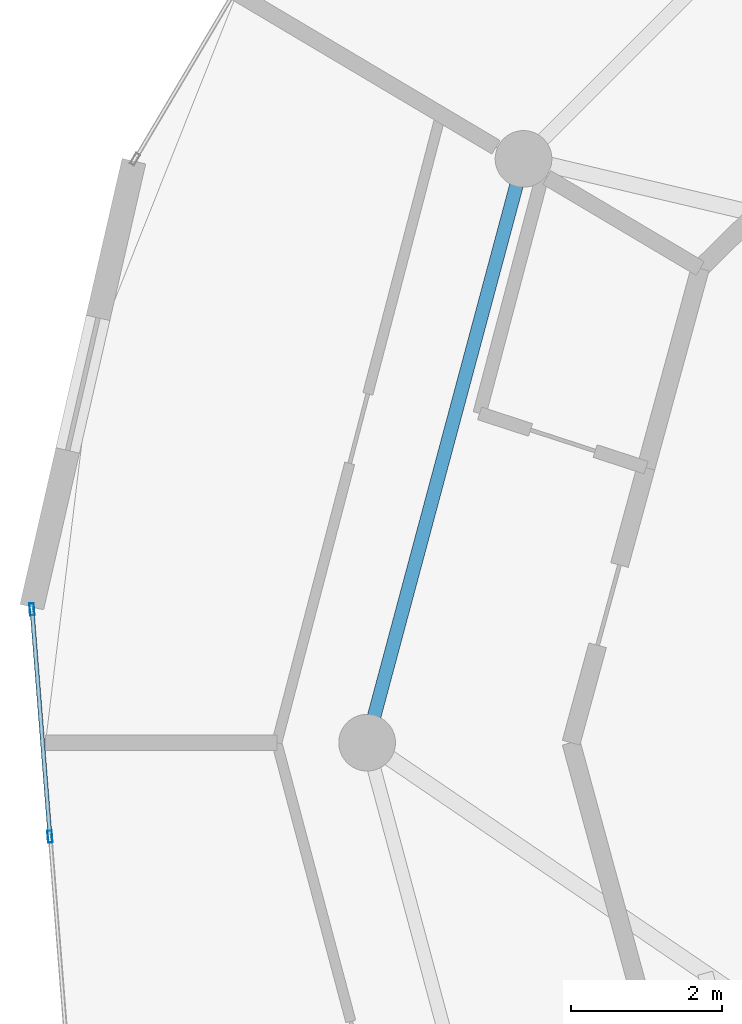
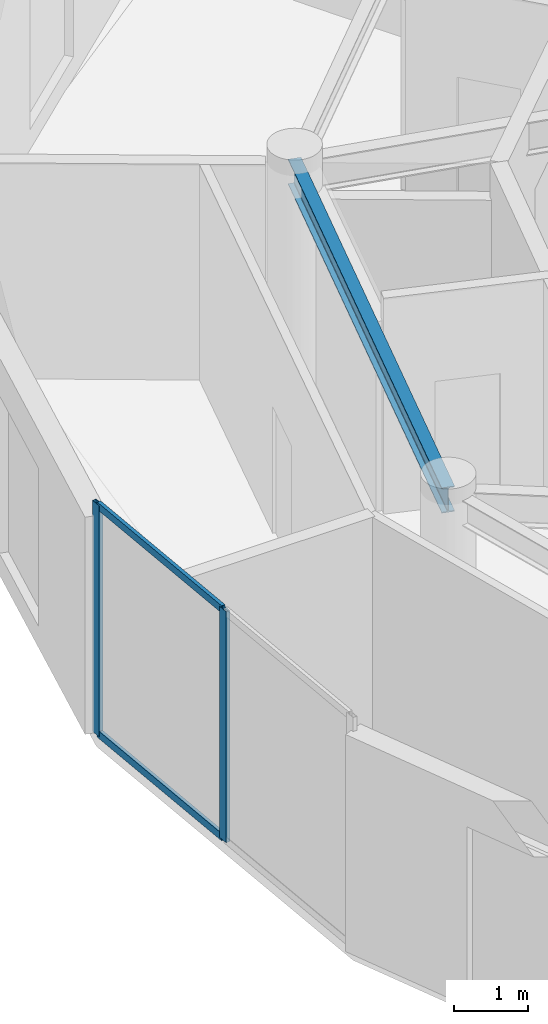
# One storey, part 8 of 22: 4 members, 1 beam, 1 element without a shape of its own.
"""IFC4 building model written with IfcOpenShell, lengths in metres."""

from ifc_helpers import new_model, si_unit, direction, frame, origin, origin_2d, place, context, subcontext, project, spatial, hollow_rectangle, i_section, extrude, source, transform, mapped, material, layer, layer_set, material_profile, profile_set, type_object, element, aggregate, save


model = new_model("IFC4")

# Units and contexts
model_context = context("Model", 3, precision=1e-05, world=origin(), true_north=direction((0.0, 1.0)))
body_context = subcontext(model_context, "Body", "Model", "MODEL_VIEW")
ifc_project = project(units=[si_unit("LENGTHUNIT", "METRE"), si_unit("AREAUNIT", "SQUARE_METRE"), si_unit("VOLUMEUNIT", "CUBIC_METRE"), si_unit("PLANEANGLEUNIT", "RADIAN"), si_unit("MASSUNIT", "GRAM", prefix="KILO")], contexts=[model_context])

# Site, building, storey
site_placement = place(None, origin())
site = spatial("IfcSite", under=ifc_project, at=site_placement, CompositionType="ELEMENT")
building_placement = place(site_placement, origin())
building = spatial("IfcBuilding", under=site, at=building_placement, Name="Solvirekh Grand Hotel", CompositionType="ELEMENT")
storey_placement = place(building_placement, frame((0.0, 0.0, 239.199951171875)))
storey = spatial("IfcBuildingStorey", under=building, at=storey_placement, Name="L62", CompositionType="ELEMENT", Elevation=239.199951171875)

# Beam
ifc_material_1 = material(Name="Steel S355", Category="steel")
ifc_material_profile_1 = material_profile(ifc_material_1, i_section(OverallWidth=0.180908203125, OverallDepth=0.4169921875, WebThickness=0.010009765625, FlangeThickness=0.01611328125, FilletRadius=0.011962890625, at=origin_2d()), Name="W410X85")
ifc_profile_set_1 = profile_set([ifc_material_profile_1], Name="Steel S355")
beam_type = type_object("IfcBeamType", Name="Spandrel_Ring_W410", PredefinedType="SPANDREL", material=ifc_profile_set_1)
beam_placement = place(storey_placement, frame((-13.3798828125, 7.72509765625, 3.362060546875), z_axis=(-0.258834757072, -0.965921616143, 0.0), x_axis=(0.965921616143, -0.258834757072, 0.0)))
element("IfcBeam", 1, at=beam_placement, inside=storey, type_object=beam_type, Name="L62 perimeter spandrel beam 6", PredefinedType="SPANDREL", context=body_context, shape_type="SweptSolid", body=[
    extrude(i_section(OverallWidth=0.180908203125, OverallDepth=0.4169921875, WebThickness=0.010009765625, FlangeThickness=0.01611328125, FilletRadius=0.011962890625, at=origin_2d()), origin(), (0.0, 0.0, 1.0), 7.99755859375),
])

# Curtain wall, members
ifc_material_2 = material(Name="Anodized Bronze Aluminium 6063-T6", Category="aluminium")
ifc_layer = layer(ifc_material_2, 0.159912109375)
ifc_layer_set = layer_set([ifc_layer], Name="Anodized Bronze Aluminium 6063-T6")
curtain_wall_type = type_object("IfcCurtainWallType", Name="CW_Sys4_HighZoneFlushBronzeCW", PredefinedType="NOTDEFINED", material=ifc_layer_set)
curtain_wall_placement = place(storey_placement, origin())
curtain_wall = element("IfcCurtainWall", 2, at=curtain_wall_placement, inside=storey, type_object=curtain_wall_type, Name="L62 unitised bronze-glass curtain wall CW-L62-C15", PredefinedType="NOTDEFINED")
ifc_material_profile_2 = material_profile(ifc_material_2, hollow_rectangle(XDim=0.06005859375, YDim=0.159912109375, WallThickness=0.0048828125, at=origin_2d()), Name="ALU RHS 160X60X5")
ifc_profile_set_2 = profile_set([ifc_material_profile_2], Name="Anodized Bronze Aluminium 6063-T6")
member_type_1 = type_object("IfcMemberType", Name="CWMullion_Sys4", PredefinedType="MULLION", material=ifc_profile_set_2)
shared_shape_1 = source(origin(), body_context, "Body", "SweptSolid", [
    extrude(hollow_rectangle(XDim=0.06005859375, YDim=0.159912109375, WallThickness=0.0048828125, at=origin_2d()), origin(), (0.0, 0.0, 1.0), 3.800048828125),
])
member_1_placement = place(storey_placement, frame((-19.884521484375, 1.76513671875, 0.0), z_axis=(0.0, 0.0, 1.0), x_axis=(0.996869293159, 0.079067138283, 0.0)))
member_1 = element("IfcMember", 3, at=member_1_placement, type_object=member_type_1, Name="U04 mullion 1", PredefinedType="MULLION", context=body_context, shape_type="MappedRepresentation", body=[
    mapped(shared_shape_1, transform((0.0, 0.0, 0.0), x_axis=(1.0, 0.0, 0.0), y_axis=(0.0, 1.0, 0.0), z_axis=(0.0, 0.0, 1.0), scale=1.0)),
])
member_2_placement = place(storey_placement, frame((-19.64599609375, -1.243408203125, 0.0), z_axis=(0.0, 0.0, 1.0), x_axis=(0.996869293159, 0.079067138283, 0.0)))
member_2 = element("IfcMember", 4, at=member_2_placement, type_object=member_type_1, Name="U04 mullion 2", PredefinedType="MULLION", context=body_context, shape_type="MappedRepresentation", body=[
    mapped(shared_shape_1, transform((0.0, 0.0, 0.0), x_axis=(1.0, 0.0, 0.0), y_axis=(0.0, 1.0, 0.0), z_axis=(0.0, 0.0, 1.0), scale=1.0)),
])
ifc_material_profile_3 = material_profile(ifc_material_2, hollow_rectangle(XDim=0.054931640625, YDim=0.1201171875, WallThickness=0.00390625, at=origin_2d()), Name="ALU RHS 120X55X4")
ifc_profile_set_3 = profile_set([ifc_material_profile_3], Name="Anodized Bronze Aluminium 6063-T6")
member_type_2 = type_object("IfcMemberType", Name="CWTransom_Sys4", PredefinedType="USERDEFINED", material=ifc_profile_set_3)
shared_shape_2 = source(origin(), body_context, "Body", "SweptSolid", [
    extrude(hollow_rectangle(XDim=0.054931640625, YDim=0.1201171875, WallThickness=0.00390625, at=origin_2d()), origin(), (0.0, 0.0, 1.0), 2.9580078125),
])
member_3_placement = place(storey_placement, frame((-19.88232421875, 1.735107421875, 0.027587890625), z_axis=(0.079069432729, -0.996869111172, 0.0), x_axis=(0.996869111172, 0.079069432729, 0.0)))
member_3 = element("IfcMember", 5, at=member_3_placement, type_object=member_type_2, Name="U04 transom 1.1", ObjectType="TRANSOM", PredefinedType="USERDEFINED", context=body_context, shape_type="MappedRepresentation", body=[
    mapped(shared_shape_2, transform((0.0, 0.0, 0.0), x_axis=(1.0, 0.0, 0.0), y_axis=(0.0, 1.0, 0.0), z_axis=(0.0, 0.0, 1.0), scale=1.0)),
])
member_4_placement = place(storey_placement, frame((-19.88232421875, 1.735107421875, 3.7724609375), z_axis=(0.079069432729, -0.996869111172, 0.0), x_axis=(0.996869111172, 0.079069432729, 0.0)))
member_4 = element("IfcMember", 6, at=member_4_placement, type_object=member_type_2, Name="U04 transom 1.2", ObjectType="TRANSOM", PredefinedType="USERDEFINED", context=body_context, shape_type="MappedRepresentation", body=[
    mapped(shared_shape_2, transform((0.0, 0.0, 0.0), x_axis=(1.0, 0.0, 0.0), y_axis=(0.0, 1.0, 0.0), z_axis=(0.0, 0.0, 1.0), scale=1.0)),
])
aggregate(curtain_wall, [member_1, member_2, member_3, member_4])

save(model, "model.ifc")
